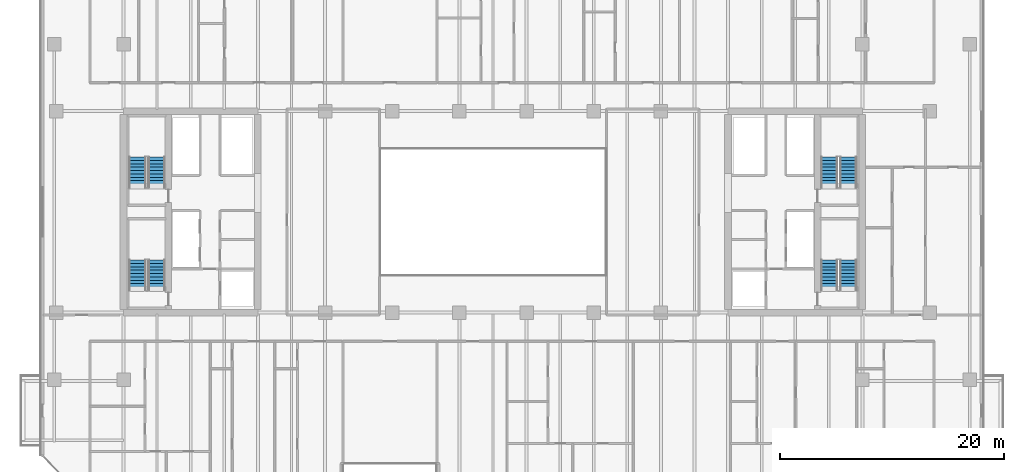
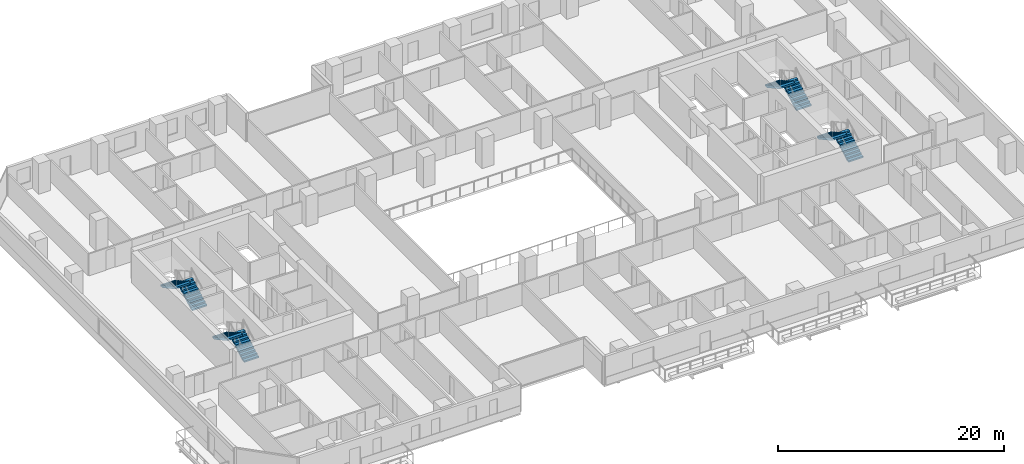
# One storey, part 24 of 33: 8 stair flights, 4 elements without a shape of their own.
"""IFC4 building model written with IfcOpenShell, lengths in metres."""

from ifc_helpers import new_model, si_unit, direction, frame, origin, place, context, subcontext, project, spatial, polyline, outline, extrude, material, type_object, element, aggregate, save


model = new_model("IFC4")

# Units and contexts
model_context = context("Model", 3, precision=1e-05, world=origin(), true_north=direction((0.0, 1.0)))
body_context = subcontext(model_context, "Body", "Model", "MODEL_VIEW")
ifc_project = project(units=[si_unit("LENGTHUNIT", "METRE"), si_unit("AREAUNIT", "SQUARE_METRE"), si_unit("VOLUMEUNIT", "CUBIC_METRE"), si_unit("PLANEANGLEUNIT", "RADIAN"), si_unit("MASSUNIT", "GRAM", prefix="KILO")], contexts=[model_context])

# Site, building, storey
site_placement = place(None, origin())
site = spatial("IfcSite", under=ifc_project, at=site_placement, CompositionType="ELEMENT")
building_placement = place(site_placement, origin())
building = spatial("IfcBuilding", under=site, at=building_placement, Name="Tanjung Sevakor Pilgrim Tower", CompositionType="ELEMENT")
storey_placement = place(building_placement, frame((0.0, 0.0, 38.93994140625)))
storey = spatial("IfcBuildingStorey", under=building, at=storey_placement, Name="L10", CompositionType="ELEMENT", Elevation=38.93994140625)

# Stair, stair flights
ifc_material_1 = material(Name="Concrete C40/50", Category="concrete")
stair_type = type_object("IfcStairType", Name="STAIR-ST-CR150", PredefinedType="HALF_TURN_STAIR", material=ifc_material_1)
stair_1_placement = place(storey_placement, origin())
stair_1 = element("IfcStair", 1, at=stair_1_placement, inside=storey, type_object=stair_type, Name="L10 West Core Exit Stair 1", PredefinedType="HALF_TURN_STAIR")
ifc_material_2 = material(Name="Concrete C40/50", Category="concrete")
stair_flight_type = type_object("IfcStairFlightType", Name="FLIGHT-ST-CR150", PredefinedType="STRAIGHT", material=ifc_material_2)
stair_flight_1_placement = place(storey_placement, frame((26.949951171875, 26.60009765625, 0.0), z_axis=(0.0, 0.0, 1.0), x_axis=(0.0, 1.0, 0.0)))
stair_flight_1 = element("IfcStairFlight", 2, at=stair_flight_1_placement, type_object=stair_flight_type, Name="TS-W1 flight 1", NumberOfRisers=10, NumberOfTreads=9, PredefinedType="STRAIGHT", RiserHeight=0.165, TreadLength=0.3, context=body_context, shape_type="SweptSolid", body=[
    extrude(outline(polyline([(0.0, 0.0), (0.0, 0.1650390625), (0.300048828125, 0.1650390625), (0.300048828125, 0.330078125), (0.60009765625, 0.330078125), (0.60009765625, 0.4951171875), (0.89990234375, 0.4951171875), (0.89990234375, 0.659912109375), (1.199951171875, 0.659912109375), (1.199951171875, 0.824951171875), (1.5, 0.824951171875), (1.5, 0.989990234375), (1.800048828125, 0.989990234375), (1.800048828125, 1.155029296875), (2.10009765625, 1.155029296875), (2.10009765625, 1.320068359375), (2.39990234375, 1.320068359375), (2.39990234375, 1.485107421875), (2.699951171875, 1.485107421875), (2.699951171875, 1.64990234375), (2.699951171875, 1.302490234375), (0.331787109375, 0.0), (0.0, 0.0)])), frame((0.0, 0.75, 0.0), z_axis=(0.0, -1.0, 0.0), x_axis=(1.0, 0.0, 0.0)), (0.0, 0.0, 1.0), 1.5),
])
stair_flight_2_placement = place(storey_placement, frame((25.25, 29.300048828125, 1.650146484375), z_axis=(0.0, 0.0, 1.0), x_axis=(0.0, -1.0, 0.0)))
stair_flight_2 = element("IfcStairFlight", 3, at=stair_flight_2_placement, type_object=stair_flight_type, Name="TS-W1 flight 2", NumberOfRisers=10, NumberOfTreads=9, PredefinedType="STRAIGHT", RiserHeight=0.165, TreadLength=0.3, context=body_context, shape_type="SweptSolid", body=[
    extrude(outline(polyline([(0.0, 0.0), (0.0, 0.1650390625), (0.300048828125, 0.1650390625), (0.300048828125, 0.330078125), (0.60009765625, 0.330078125), (0.60009765625, 0.4951171875), (0.89990234375, 0.4951171875), (0.89990234375, 0.659912109375), (1.199951171875, 0.659912109375), (1.199951171875, 0.824951171875), (1.5, 0.824951171875), (1.5, 0.989990234375), (1.800048828125, 0.989990234375), (1.800048828125, 1.155029296875), (2.10009765625, 1.155029296875), (2.10009765625, 1.320068359375), (2.39990234375, 1.320068359375), (2.39990234375, 1.485107421875), (2.699951171875, 1.485107421875), (2.699951171875, 1.64990234375), (2.699951171875, 1.302490234375), (0.331787109375, 0.0), (0.0, 0.0)])), frame((0.0, 0.75, 0.0), z_axis=(0.0, -1.0, 0.0), x_axis=(1.0, 0.0, 0.0)), (0.0, 0.0, 1.0), 1.5),
])
aggregate(stair_1, [stair_flight_1, stair_flight_2])

stair_2_placement = place(storey_placement, origin())
stair_2 = element("IfcStair", 4, at=stair_2_placement, inside=storey, type_object=stair_type, Name="L10 West Core Exit Stair 2", PredefinedType="HALF_TURN_STAIR")
stair_flight_3_placement = place(storey_placement, frame((26.949951171875, 35.800048828125, 0.0), z_axis=(0.0, 0.0, 1.0), x_axis=(0.0, 1.0, 0.0)))
stair_flight_3 = element("IfcStairFlight", 5, at=stair_flight_3_placement, type_object=stair_flight_type, Name="TS-W2 flight 1", NumberOfRisers=10, NumberOfTreads=9, PredefinedType="STRAIGHT", RiserHeight=0.165, TreadLength=0.3, context=body_context, shape_type="SweptSolid", body=[
    extrude(outline(polyline([(0.0, 0.0), (0.0, 0.1650390625), (0.300048828125, 0.1650390625), (0.300048828125, 0.330078125), (0.60009765625, 0.330078125), (0.60009765625, 0.4951171875), (0.89990234375, 0.4951171875), (0.89990234375, 0.659912109375), (1.199951171875, 0.659912109375), (1.199951171875, 0.824951171875), (1.5, 0.824951171875), (1.5, 0.989990234375), (1.800048828125, 0.989990234375), (1.800048828125, 1.155029296875), (2.10009765625, 1.155029296875), (2.10009765625, 1.320068359375), (2.39990234375, 1.320068359375), (2.39990234375, 1.485107421875), (2.699951171875, 1.485107421875), (2.699951171875, 1.64990234375), (2.699951171875, 1.302490234375), (0.331787109375, 0.0), (0.0, 0.0)])), frame((0.0, 0.75, 0.0), z_axis=(0.0, -1.0, 0.0), x_axis=(1.0, 0.0, 0.0)), (0.0, 0.0, 1.0), 1.5),
])
stair_flight_4_placement = place(storey_placement, frame((25.25, 38.5, 1.650146484375), z_axis=(0.0, 0.0, 1.0), x_axis=(0.0, -1.0, 0.0)))
stair_flight_4 = element("IfcStairFlight", 6, at=stair_flight_4_placement, type_object=stair_flight_type, Name="TS-W2 flight 2", NumberOfRisers=10, NumberOfTreads=9, PredefinedType="STRAIGHT", RiserHeight=0.165, TreadLength=0.3, context=body_context, shape_type="SweptSolid", body=[
    extrude(outline(polyline([(0.0, 0.0), (0.0, 0.1650390625), (0.300048828125, 0.1650390625), (0.300048828125, 0.330078125), (0.60009765625, 0.330078125), (0.60009765625, 0.4951171875), (0.89990234375, 0.4951171875), (0.89990234375, 0.659912109375), (1.199951171875, 0.659912109375), (1.199951171875, 0.824951171875), (1.5, 0.824951171875), (1.5, 0.989990234375), (1.800048828125, 0.989990234375), (1.800048828125, 1.155029296875), (2.10009765625, 1.155029296875), (2.10009765625, 1.320068359375), (2.39990234375, 1.320068359375), (2.39990234375, 1.485107421875), (2.699951171875, 1.485107421875), (2.699951171875, 1.64990234375), (2.699951171875, 1.302490234375), (0.331787109375, 0.0), (0.0, 0.0)])), frame((0.0, 0.75, 0.0), z_axis=(0.0, -1.0, 0.0), x_axis=(1.0, 0.0, 0.0)), (0.0, 0.0, 1.0), 1.5),
])
aggregate(stair_2, [stair_flight_3, stair_flight_4])

stair_3_placement = place(storey_placement, origin())
stair_3 = element("IfcStair", 7, at=stair_3_placement, inside=storey, type_object=stair_type, Name="L10 East Core Exit Stair 1", PredefinedType="HALF_TURN_STAIR")
stair_flight_5_placement = place(storey_placement, frame((88.75, 26.60009765625, 0.0), z_axis=(0.0, 0.0, 1.0), x_axis=(0.0, 1.0, 0.0)))
stair_flight_5 = element("IfcStairFlight", 8, at=stair_flight_5_placement, type_object=stair_flight_type, Name="TS-E1 flight 1", NumberOfRisers=10, NumberOfTreads=9, PredefinedType="STRAIGHT", RiserHeight=0.165, TreadLength=0.3, context=body_context, shape_type="SweptSolid", body=[
    extrude(outline(polyline([(0.0, 0.0), (0.0, 0.1650390625), (0.300048828125, 0.1650390625), (0.300048828125, 0.330078125), (0.60009765625, 0.330078125), (0.60009765625, 0.4951171875), (0.89990234375, 0.4951171875), (0.89990234375, 0.659912109375), (1.199951171875, 0.659912109375), (1.199951171875, 0.824951171875), (1.5, 0.824951171875), (1.5, 0.989990234375), (1.800048828125, 0.989990234375), (1.800048828125, 1.155029296875), (2.10009765625, 1.155029296875), (2.10009765625, 1.320068359375), (2.39990234375, 1.320068359375), (2.39990234375, 1.485107421875), (2.699951171875, 1.485107421875), (2.699951171875, 1.64990234375), (2.699951171875, 1.302490234375), (0.331787109375, 0.0), (0.0, 0.0)])), frame((0.0, 0.75, 0.0), z_axis=(0.0, -1.0, 0.0), x_axis=(1.0, 0.0, 0.0)), (0.0, 0.0, 1.0), 1.5),
])
stair_flight_6_placement = place(storey_placement, frame((87.050048828125, 29.300048828125, 1.650146484375), z_axis=(0.0, 0.0, 1.0), x_axis=(0.0, -1.0, 0.0)))
stair_flight_6 = element("IfcStairFlight", 9, at=stair_flight_6_placement, type_object=stair_flight_type, Name="TS-E1 flight 2", NumberOfRisers=10, NumberOfTreads=9, PredefinedType="STRAIGHT", RiserHeight=0.165, TreadLength=0.3, context=body_context, shape_type="SweptSolid", body=[
    extrude(outline(polyline([(0.0, 0.0), (0.0, 0.1650390625), (0.300048828125, 0.1650390625), (0.300048828125, 0.330078125), (0.60009765625, 0.330078125), (0.60009765625, 0.4951171875), (0.89990234375, 0.4951171875), (0.89990234375, 0.659912109375), (1.199951171875, 0.659912109375), (1.199951171875, 0.824951171875), (1.5, 0.824951171875), (1.5, 0.989990234375), (1.800048828125, 0.989990234375), (1.800048828125, 1.155029296875), (2.10009765625, 1.155029296875), (2.10009765625, 1.320068359375), (2.39990234375, 1.320068359375), (2.39990234375, 1.485107421875), (2.699951171875, 1.485107421875), (2.699951171875, 1.64990234375), (2.699951171875, 1.302490234375), (0.331787109375, 0.0), (0.0, 0.0)])), frame((0.0, 0.75, 0.0), z_axis=(0.0, -1.0, 0.0), x_axis=(1.0, 0.0, 0.0)), (0.0, 0.0, 1.0), 1.5),
])
aggregate(stair_3, [stair_flight_5, stair_flight_6])

stair_4_placement = place(storey_placement, origin())
stair_4 = element("IfcStair", 10, at=stair_4_placement, inside=storey, type_object=stair_type, Name="L10 East Core Exit Stair 2", PredefinedType="HALF_TURN_STAIR")
stair_flight_7_placement = place(storey_placement, frame((88.75, 35.800048828125, 0.0), z_axis=(0.0, 0.0, 1.0), x_axis=(0.0, 1.0, 0.0)))
stair_flight_7 = element("IfcStairFlight", 11, at=stair_flight_7_placement, type_object=stair_flight_type, Name="TS-E2 flight 1", NumberOfRisers=10, NumberOfTreads=9, PredefinedType="STRAIGHT", RiserHeight=0.165, TreadLength=0.3, context=body_context, shape_type="SweptSolid", body=[
    extrude(outline(polyline([(0.0, 0.0), (0.0, 0.1650390625), (0.300048828125, 0.1650390625), (0.300048828125, 0.330078125), (0.60009765625, 0.330078125), (0.60009765625, 0.4951171875), (0.89990234375, 0.4951171875), (0.89990234375, 0.659912109375), (1.199951171875, 0.659912109375), (1.199951171875, 0.824951171875), (1.5, 0.824951171875), (1.5, 0.989990234375), (1.800048828125, 0.989990234375), (1.800048828125, 1.155029296875), (2.10009765625, 1.155029296875), (2.10009765625, 1.320068359375), (2.39990234375, 1.320068359375), (2.39990234375, 1.485107421875), (2.699951171875, 1.485107421875), (2.699951171875, 1.64990234375), (2.699951171875, 1.302490234375), (0.331787109375, 0.0), (0.0, 0.0)])), frame((0.0, 0.75, 0.0), z_axis=(0.0, -1.0, 0.0), x_axis=(1.0, 0.0, 0.0)), (0.0, 0.0, 1.0), 1.5),
])
stair_flight_8_placement = place(storey_placement, frame((87.050048828125, 38.5, 1.650146484375), z_axis=(0.0, 0.0, 1.0), x_axis=(0.0, -1.0, 0.0)))
stair_flight_8 = element("IfcStairFlight", 12, at=stair_flight_8_placement, type_object=stair_flight_type, Name="TS-E2 flight 2", NumberOfRisers=10, NumberOfTreads=9, PredefinedType="STRAIGHT", RiserHeight=0.165, TreadLength=0.3, context=body_context, shape_type="SweptSolid", body=[
    extrude(outline(polyline([(0.0, 0.0), (0.0, 0.1650390625), (0.300048828125, 0.1650390625), (0.300048828125, 0.330078125), (0.60009765625, 0.330078125), (0.60009765625, 0.4951171875), (0.89990234375, 0.4951171875), (0.89990234375, 0.659912109375), (1.199951171875, 0.659912109375), (1.199951171875, 0.824951171875), (1.5, 0.824951171875), (1.5, 0.989990234375), (1.800048828125, 0.989990234375), (1.800048828125, 1.155029296875), (2.10009765625, 1.155029296875), (2.10009765625, 1.320068359375), (2.39990234375, 1.320068359375), (2.39990234375, 1.485107421875), (2.699951171875, 1.485107421875), (2.699951171875, 1.64990234375), (2.699951171875, 1.302490234375), (0.331787109375, 0.0), (0.0, 0.0)])), frame((0.0, 0.75, 0.0), z_axis=(0.0, -1.0, 0.0), x_axis=(1.0, 0.0, 0.0)), (0.0, 0.0, 1.0), 1.5),
])
aggregate(stair_4, [stair_flight_7, stair_flight_8])

save(model, "model.ifc")
